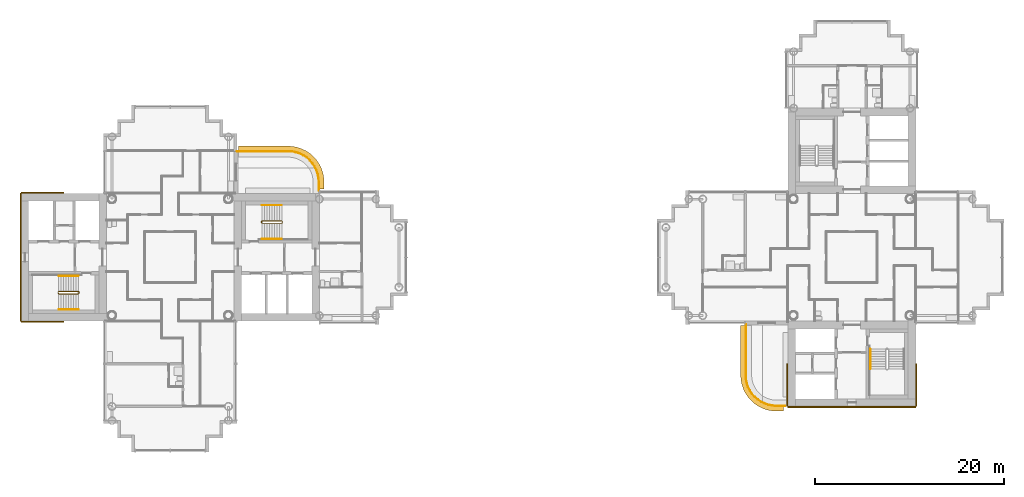
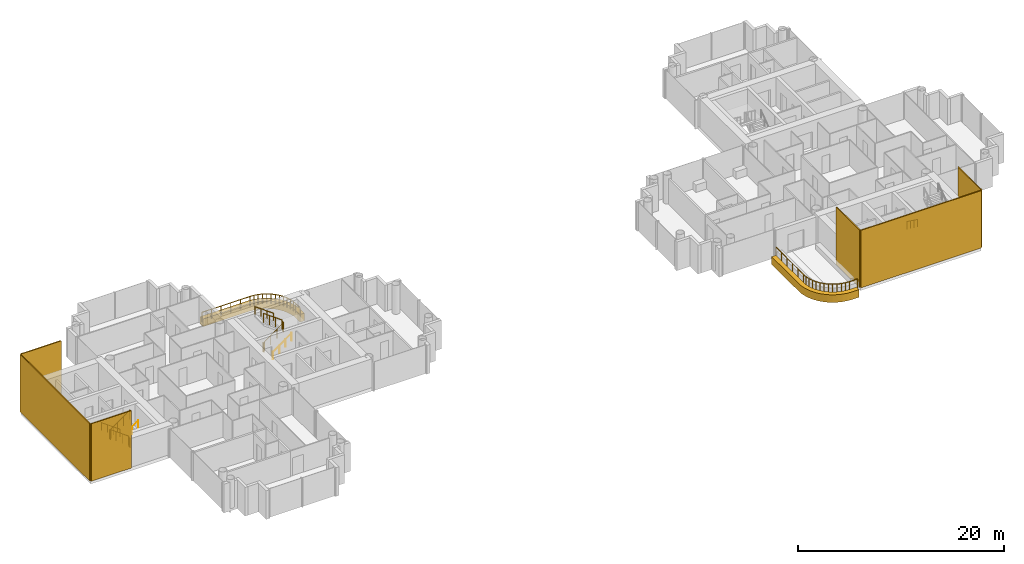
# One storey, part 17 of 19: 9 railings, 8 coverings.
"""IFC4 building model written with IfcOpenShell, lengths in metres."""

from ifc_helpers import new_model, si_unit, direction, frame, origin, origin_2d, place, context, subcontext, project, spatial, polyline, rectangle, circle, outline, extrude, material, layer, layer_set, type_object, element, save


model = new_model("IFC4")

# Units and contexts
model_context = context("Model", 3, precision=1e-05, world=origin(), true_north=direction((0.0, 1.0)))
body_context = subcontext(model_context, "Body", "Model", "MODEL_VIEW")
ifc_project = project(units=[si_unit("LENGTHUNIT", "METRE"), si_unit("AREAUNIT", "SQUARE_METRE"), si_unit("VOLUMEUNIT", "CUBIC_METRE"), si_unit("PLANEANGLEUNIT", "RADIAN"), si_unit("MASSUNIT", "GRAM", prefix="KILO")], contexts=[model_context])

# Site, building, storey
site_placement = place(None, origin())
site = spatial("IfcSite", under=ifc_project, at=site_placement, CompositionType="ELEMENT")
building_placement = place(site_placement, origin())
building = spatial("IfcBuilding", under=site, at=building_placement, Name="Ipe Terrace Towers", CompositionType="ELEMENT")
storey_placement = place(building_placement, frame((0.0, 0.0, 174.5)))
storey = spatial("IfcBuildingStorey", under=building, at=storey_placement, Name="L48", CompositionType="ELEMENT", Elevation=174.5)

# Railings
ifc_material_1 = material(Name="Stainless steel S316", Category="steel")
railing_type_1 = type_object("IfcRailingType", Name="GUARD 1100", PredefinedType="BALUSTRADE", material=ifc_material_1)
railing_1_placement = place(storey_placement, frame((-20.300048828125, 7.070068359375, -0.02001953125)))
element("IfcRailing", 1, at=railing_1_placement, inside=storey, type_object=railing_type_1, Name="guard", PredefinedType="BALUSTRADE", context=body_context, shape_type="SweptSolid", body=[
    extrude(circle(Radius=0.02392578125, at=origin_2d()), frame((0.0, 0.0, 1.076171875), z_axis=(0.0, 1.0, 0.0), x_axis=(-1.0, 0.0, 0.0)), (0.0, 0.0, 1.0), 0.8779296875),
    extrude(circle(Radius=0.02392578125, at=origin_2d()), frame((0.0, 0.8779296875, 1.076171875), z_axis=(-0.065190546171, 0.997872833927, 0.0), x_axis=(-0.997872833927, -0.065190546171, 0.0)), (0.0, 0.0, 1.0), 0.427001953125),
    extrude(circle(Radius=0.02392578125, at=origin_2d()), frame((-0.02783203125, 1.303955078125, 1.076171875), z_axis=(-0.195232649896, 0.980756958892, 0.0), x_axis=(-0.980756958892, -0.195232649896, 0.0)), (0.0, 0.0, 1.0), 0.42529296875),
    extrude(circle(Radius=0.02392578125, at=origin_2d()), frame((-0.11083984375, 1.720947265625, 1.076171875), z_axis=(-0.320184280026, 0.947355280148, 0.0), x_axis=(-0.947355280148, -0.320184280026, 0.0)), (0.0, 0.0, 1.0), 0.425537109375),
    extrude(circle(Radius=0.02392578125, at=origin_2d()), frame((-0.2470703125, 2.1240234375, 1.076171875), z_axis=(-0.444455160923, 0.895801099535, 0.0), x_axis=(-0.895801099535, -0.444455160923, 0.0)), (0.0, 0.0, 1.0), 0.425048828125),
    extrude(circle(Radius=0.02392578125, at=origin_2d()), frame((-0.43603515625, 2.5048828125, 1.076171875), z_axis=(-0.55549616226, 0.83151910003, 0.0), x_axis=(-0.83151910003, -0.55549616226, 0.0)), (0.0, 0.0, 1.0), 0.424560546875),
    extrude(circle(Radius=0.02392578125, at=origin_2d()), frame((-0.671875, 2.85791015625, 1.076171875), z_axis=(-0.658463964434, 0.752612255774, 0.0), x_axis=(-0.752612255774, -0.658463964434, 0.0)), (0.0, 0.0, 1.0), 0.42529296875),
    extrude(circle(Radius=0.02392578125, at=origin_2d()), frame((-0.951904296875, 3.177978515625, 1.076171875), z_axis=(-0.752612255774, 0.658463964434, 0.0), x_axis=(-0.658463964434, -0.752612255774, 0.0)), (0.0, 0.0, 1.0), 0.42529296875),
    extrude(circle(Radius=0.02392578125, at=origin_2d()), frame((-1.27197265625, 3.4580078125, 1.076171875), z_axis=(-0.83151910003, 0.55549616226, 0.0), x_axis=(-0.55549616226, -0.83151910003, 0.0)), (0.0, 0.0, 1.0), 0.424560546875),
    extrude(circle(Radius=0.02392578125, at=origin_2d()), frame((-1.625, 3.69384765625, 1.076171875), z_axis=(-0.895801099535, 0.444455160923, 0.0), x_axis=(-0.444455160923, -0.895801099535, 0.0)), (0.0, 0.0, 1.0), 0.425048828125),
    extrude(circle(Radius=0.02392578125, at=origin_2d()), frame((-2.005859375, 3.8828125, 1.076171875), z_axis=(-0.947355280148, 0.320184280026, 0.0), x_axis=(-0.320184280026, -0.947355280148, 0.0)), (0.0, 0.0, 1.0), 0.425537109375),
    extrude(circle(Radius=0.02392578125, at=origin_2d()), frame((-2.408935546875, 4.01904296875, 1.076171875), z_axis=(-0.980756958892, 0.195232649896, 0.0), x_axis=(-0.195232649896, -0.980756958892, 0.0)), (0.0, 0.0, 1.0), 0.42529296875),
    extrude(circle(Radius=0.02392578125, at=origin_2d()), frame((-2.825927734375, 4.10205078125, 1.076171875), z_axis=(-0.997872833927, 0.065190546171, 0.0), x_axis=(-0.065190546171, -0.997872833927, 0.0)), (0.0, 0.0, 1.0), 0.427001953125),
    extrude(circle(Radius=0.02392578125, at=origin_2d()), frame((-3.251953125, 4.1298828125, 1.076171875), z_axis=(-1.0, 0.0, 0.0), x_axis=(0.0, -1.0, 0.0)), (0.0, 0.0, 1.0), 5.3779296875),
    extrude(circle(Radius=0.02099609375, at=origin_2d()), origin(), (0.0, 0.0, 1.0), 1.052001953125),
    extrude(circle(Radius=0.02099609375, at=origin_2d()), frame((0.0, 0.8779296875, 0.0)), (0.0, 0.0, 1.0), 1.052001953125),
    extrude(circle(Radius=0.02099609375, at=origin_2d()), frame((-0.02783203125, 1.303955078125, 0.0)), (0.0, 0.0, 1.0), 1.052001953125),
    extrude(circle(Radius=0.02099609375, at=origin_2d()), frame((-0.11083984375, 1.720947265625, 0.0)), (0.0, 0.0, 1.0), 1.052001953125),
    extrude(circle(Radius=0.02099609375, at=origin_2d()), frame((-0.2470703125, 2.1240234375, 0.0)), (0.0, 0.0, 1.0), 1.052001953125),
    extrude(circle(Radius=0.02099609375, at=origin_2d()), frame((-0.43603515625, 2.5048828125, 0.0)), (0.0, 0.0, 1.0), 1.052001953125),
    extrude(circle(Radius=0.02099609375, at=origin_2d()), frame((-0.671875, 2.85791015625, 0.0)), (0.0, 0.0, 1.0), 1.052001953125),
    extrude(circle(Radius=0.02099609375, at=origin_2d()), frame((-0.951904296875, 3.177978515625, 0.0)), (0.0, 0.0, 1.0), 1.052001953125),
    extrude(circle(Radius=0.02099609375, at=origin_2d()), frame((-1.27197265625, 3.4580078125, 0.0)), (0.0, 0.0, 1.0), 1.052001953125),
    extrude(circle(Radius=0.02099609375, at=origin_2d()), frame((-1.625, 3.69384765625, 0.0)), (0.0, 0.0, 1.0), 1.052001953125),
    extrude(circle(Radius=0.02099609375, at=origin_2d()), frame((-2.005859375, 3.8828125, 0.0)), (0.0, 0.0, 1.0), 1.052001953125),
    extrude(circle(Radius=0.02099609375, at=origin_2d()), frame((-2.408935546875, 4.01904296875, 0.0)), (0.0, 0.0, 1.0), 1.052001953125),
    extrude(circle(Radius=0.02099609375, at=origin_2d()), frame((-2.825927734375, 4.10205078125, 0.0)), (0.0, 0.0, 1.0), 1.052001953125),
    extrude(circle(Radius=0.02099609375, at=origin_2d()), frame((-3.251953125, 4.1298828125, 0.0)), (0.0, 0.0, 1.0), 1.052001953125),
    extrude(circle(Radius=0.02099609375, at=origin_2d()), frame((-4.32763671875, 4.1298828125, 0.0)), (0.0, 0.0, 1.0), 1.052001953125),
    extrude(circle(Radius=0.02099609375, at=origin_2d()), frame((-5.403076171875, 4.1298828125, 0.0)), (0.0, 0.0, 1.0), 1.052001953125),
    extrude(circle(Radius=0.02099609375, at=origin_2d()), frame((-6.478759765625, 4.1298828125, 0.0)), (0.0, 0.0, 1.0), 1.052001953125),
    extrude(circle(Radius=0.02099609375, at=origin_2d()), frame((-7.55419921875, 4.1298828125, 0.0)), (0.0, 0.0, 1.0), 1.052001953125),
    extrude(circle(Radius=0.02099609375, at=origin_2d()), frame((-8.6298828125, 4.1298828125, 0.0)), (0.0, 0.0, 1.0), 1.052001953125),
])
railing_2_placement = place(storey_placement, frame((24.800048828125, -7.070068359375, -0.02001953125)))
element("IfcRailing", 2, at=railing_2_placement, inside=storey, type_object=railing_type_1, Name="guard", PredefinedType="BALUSTRADE", context=body_context, shape_type="SweptSolid", body=[
    extrude(circle(Radius=0.02392578125, at=origin_2d()), frame((0.0, 0.0, 1.076171875), z_axis=(0.0, -1.0, 0.0), x_axis=(1.0, 0.0, 0.0)), (0.0, 0.0, 1.0), 5.3779296875),
    extrude(circle(Radius=0.02392578125, at=origin_2d()), frame((0.0, -5.3779296875, 1.076171875), z_axis=(0.065190546171, -0.997872833927, 0.0), x_axis=(0.997872833927, 0.065190546171, 0.0)), (0.0, 0.0, 1.0), 0.427001953125),
    extrude(circle(Radius=0.02392578125, at=origin_2d()), frame((0.02783203125, -5.803955078125, 1.076171875), z_axis=(0.195232649896, -0.980756958892, 0.0), x_axis=(0.980756958892, 0.195232649896, 0.0)), (0.0, 0.0, 1.0), 0.42529296875),
    extrude(circle(Radius=0.02392578125, at=origin_2d()), frame((0.11083984375, -6.220947265625, 1.076171875), z_axis=(0.320184280026, -0.947355280148, 0.0), x_axis=(0.947355280148, 0.320184280026, 0.0)), (0.0, 0.0, 1.0), 0.425537109375),
    extrude(circle(Radius=0.02392578125, at=origin_2d()), frame((0.2470703125, -6.6240234375, 1.076171875), z_axis=(0.444455160923, -0.895801099535, 0.0), x_axis=(0.895801099535, 0.444455160923, 0.0)), (0.0, 0.0, 1.0), 0.425048828125),
    extrude(circle(Radius=0.02392578125, at=origin_2d()), frame((0.43603515625, -7.0048828125, 1.076171875), z_axis=(0.55549616226, -0.83151910003, 0.0), x_axis=(0.83151910003, 0.55549616226, 0.0)), (0.0, 0.0, 1.0), 0.424560546875),
    extrude(circle(Radius=0.02392578125, at=origin_2d()), frame((0.671875, -7.35791015625, 1.076171875), z_axis=(0.658463964434, -0.752612255774, 0.0), x_axis=(0.752612255774, 0.658463964434, 0.0)), (0.0, 0.0, 1.0), 0.42529296875),
    extrude(circle(Radius=0.02392578125, at=origin_2d()), frame((0.951904296875, -7.677978515625, 1.076171875), z_axis=(0.752612255774, -0.658463964434, 0.0), x_axis=(0.658463964434, 0.752612255774, 0.0)), (0.0, 0.0, 1.0), 0.42529296875),
    extrude(circle(Radius=0.02392578125, at=origin_2d()), frame((1.27197265625, -7.9580078125, 1.076171875), z_axis=(0.83151910003, -0.55549616226, 0.0), x_axis=(0.55549616226, 0.83151910003, 0.0)), (0.0, 0.0, 1.0), 0.424560546875),
    extrude(circle(Radius=0.02392578125, at=origin_2d()), frame((1.625, -8.19384765625, 1.076171875), z_axis=(0.895801099535, -0.444455160923, 0.0), x_axis=(0.444455160923, 0.895801099535, 0.0)), (0.0, 0.0, 1.0), 0.425048828125),
    extrude(circle(Radius=0.02392578125, at=origin_2d()), frame((2.005859375, -8.3828125, 1.076171875), z_axis=(0.947355280148, -0.320184280026, 0.0), x_axis=(0.320184280026, 0.947355280148, 0.0)), (0.0, 0.0, 1.0), 0.425537109375),
    extrude(circle(Radius=0.02392578125, at=origin_2d()), frame((2.408935546875, -8.51904296875, 1.076171875), z_axis=(0.980756958892, -0.195232649896, 0.0), x_axis=(0.195232649896, 0.980756958892, 0.0)), (0.0, 0.0, 1.0), 0.42529296875),
    extrude(circle(Radius=0.02392578125, at=origin_2d()), frame((2.825927734375, -8.60205078125, 1.076171875), z_axis=(0.997872833927, -0.065190546171, 0.0), x_axis=(0.065190546171, 0.997872833927, 0.0)), (0.0, 0.0, 1.0), 0.427001953125),
    extrude(circle(Radius=0.02392578125, at=origin_2d()), frame((3.251953125, -8.6298828125, 1.076171875), z_axis=(1.0, 0.0, 0.0), x_axis=(0.0, 1.0, 0.0)), (0.0, 0.0, 1.0), 0.8779296875),
    extrude(circle(Radius=0.02099609375, at=origin_2d()), origin(), (0.0, 0.0, 1.0), 1.052001953125),
    extrude(circle(Radius=0.02099609375, at=origin_2d()), frame((0.0, -1.07568359375, 0.0)), (0.0, 0.0, 1.0), 1.052001953125),
    extrude(circle(Radius=0.02099609375, at=origin_2d()), frame((0.0, -2.151123046875, 0.0)), (0.0, 0.0, 1.0), 1.052001953125),
    extrude(circle(Radius=0.02099609375, at=origin_2d()), frame((0.0, -3.226806640625, 0.0)), (0.0, 0.0, 1.0), 1.052001953125),
    extrude(circle(Radius=0.02099609375, at=origin_2d()), frame((0.0, -4.30224609375, 0.0)), (0.0, 0.0, 1.0), 1.052001953125),
    extrude(circle(Radius=0.02099609375, at=origin_2d()), frame((0.0, -5.3779296875, 0.0)), (0.0, 0.0, 1.0), 1.052001953125),
    extrude(circle(Radius=0.02099609375, at=origin_2d()), frame((0.02783203125, -5.803955078125, 0.0)), (0.0, 0.0, 1.0), 1.052001953125),
    extrude(circle(Radius=0.02099609375, at=origin_2d()), frame((0.11083984375, -6.220947265625, 0.0)), (0.0, 0.0, 1.0), 1.052001953125),
    extrude(circle(Radius=0.02099609375, at=origin_2d()), frame((0.2470703125, -6.6240234375, 0.0)), (0.0, 0.0, 1.0), 1.052001953125),
    extrude(circle(Radius=0.02099609375, at=origin_2d()), frame((0.43603515625, -7.0048828125, 0.0)), (0.0, 0.0, 1.0), 1.052001953125),
    extrude(circle(Radius=0.02099609375, at=origin_2d()), frame((0.671875, -7.35791015625, 0.0)), (0.0, 0.0, 1.0), 1.052001953125),
    extrude(circle(Radius=0.02099609375, at=origin_2d()), frame((0.951904296875, -7.677978515625, 0.0)), (0.0, 0.0, 1.0), 1.052001953125),
    extrude(circle(Radius=0.02099609375, at=origin_2d()), frame((1.27197265625, -7.9580078125, 0.0)), (0.0, 0.0, 1.0), 1.052001953125),
    extrude(circle(Radius=0.02099609375, at=origin_2d()), frame((1.625, -8.19384765625, 0.0)), (0.0, 0.0, 1.0), 1.052001953125),
    extrude(circle(Radius=0.02099609375, at=origin_2d()), frame((2.005859375, -8.3828125, 0.0)), (0.0, 0.0, 1.0), 1.052001953125),
    extrude(circle(Radius=0.02099609375, at=origin_2d()), frame((2.408935546875, -8.51904296875, 0.0)), (0.0, 0.0, 1.0), 1.052001953125),
    extrude(circle(Radius=0.02099609375, at=origin_2d()), frame((2.825927734375, -8.60205078125, 0.0)), (0.0, 0.0, 1.0), 1.052001953125),
    extrude(circle(Radius=0.02099609375, at=origin_2d()), frame((3.251953125, -8.6298828125, 0.0)), (0.0, 0.0, 1.0), 1.052001953125),
    extrude(circle(Radius=0.02099609375, at=origin_2d()), frame((4.1298828125, -8.6298828125, 0.0)), (0.0, 0.0, 1.0), 1.052001953125),
])

# Coverings
ifc_material_2 = material(Name="Concrete C50/60 precast, buff finish", Category="concrete")
ifc_layer_1 = layer(ifc_material_2, 0.1201171875)
ifc_layer_set_1 = layer_set([ifc_layer_1], Name="STONE CORE CLADDING 120")
covering_type_1 = type_object("IfcCoveringType", Name="STONE CORE CLADDING 120", PredefinedType="CLADDING", material=ifc_layer_set_1)
covering_1_placement = place(storey_placement, frame((-49.5, -6.81005859375, 0.0), z_axis=(0.0, 0.0, 1.0), x_axis=(1.0, 0.0, 0.0)))
element("IfcCovering", 3, at=covering_1_placement, inside=storey, type_object=covering_type_1, Name="stone core cladding", PredefinedType="CLADDING", context=body_context, shape_type="SweptSolid", body=[
    extrude(rectangle(XDim=4.5, YDim=0.1201171875, at=origin_2d()), origin(), (0.0, 0.0, 1.0), 6.800048828125),
])
covering_2_placement = place(storey_placement, frame((-51.81005859375, 0.0, 0.0), z_axis=(0.0, 0.0, 1.0), x_axis=(0.0, -1.0, 0.0)))
element("IfcCovering", 4, at=covering_2_placement, inside=storey, type_object=covering_type_1, Name="stone core cladding", PredefinedType="CLADDING", context=body_context, shape_type="SweptSolid", body=[
    extrude(rectangle(XDim=13.5, YDim=0.1201171875, at=origin_2d()), origin(), (0.0, 0.0, 1.0), 6.800048828125),
])
covering_3_placement = place(storey_placement, frame((-49.5, 6.81005859375, 0.0), z_axis=(0.0, 0.0, 1.0), x_axis=(-1.0, 0.0, 0.0)))
element("IfcCovering", 5, at=covering_3_placement, inside=storey, type_object=covering_type_1, Name="stone core cladding", PredefinedType="CLADDING", context=body_context, shape_type="SweptSolid", body=[
    extrude(rectangle(XDim=4.5, YDim=0.1201171875, at=origin_2d()), origin(), (0.0, 0.0, 1.0), 6.800048828125),
])
covering_4_placement = place(storey_placement, frame((36.0, -15.81005859375, 0.0), z_axis=(0.0, 0.0, 1.0), x_axis=(1.0, 0.0, 0.0)))
element("IfcCovering", 6, at=covering_4_placement, inside=storey, type_object=covering_type_1, Name="stone core cladding", PredefinedType="CLADDING", context=body_context, shape_type="SweptSolid", body=[
    extrude(rectangle(XDim=13.5, YDim=0.1201171875, at=origin_2d()), origin(), (0.0, 0.0, 1.0), 6.800048828125),
])
for number, where, z_axis, x_axis, name in (
    (7, (29.18994140625, -13.5, 0.0), (0.0, 0.0, 1.0), (0.0, -1.0, 0.0), "stone core cladding"),
    (8, (42.81005859375, -13.5, 0.0), (0.0, 0.0, 1.0), (0.0, 1.0, 0.0), "stone core cladding"),
):
    element("IfcCovering", number, at=place(storey_placement, frame(where, z_axis=z_axis, x_axis=x_axis)), inside=storey, type_object=covering_type_1, Name=name, PredefinedType="CLADDING", context=body_context, shape_type="SweptSolid", body=[
        extrude(rectangle(XDim=4.5, YDim=0.1201171875, at=origin_2d()), origin(), (0.0, 0.0, 1.0), 6.800048828125),
    ])
ifc_material_3 = material(Name="Concrete C50/60 precast, buff finish", Category="concrete")
ifc_layer_2 = layer(ifc_material_3, 0.5)
ifc_layer_set_2 = layer_set([ifc_layer_2], Name="STONE EDGE BAND 500 x 900")
covering_type_2 = type_object("IfcCoveringType", Name="STONE EDGE BAND 500 x 900", PredefinedType="CLADDING", material=ifc_layer_set_2)
covering_5_placement = place(storey_placement, frame((0.0, 0.0, -0.719970703125)))
element("IfcCovering", 9, at=covering_5_placement, inside=storey, type_object=covering_type_2, Name="stone edge band", PredefinedType="CLADDING", context=body_context, shape_type="SweptSolid", body=[
    extrude(outline(polyline([(-23.550048828125, 11.75), (-28.800048828125, 11.75), (-28.800048828125, 11.25), (-23.550048828125, 11.25), (-23.118896484375, 11.221923828125), (-22.696044921875, 11.137939453125), (-22.287109375, 10.9990234375), (-21.89990234375, 10.80810546875), (-21.541015625, 10.568115234375), (-21.217041015625, 10.282958984375), (-20.931884765625, 9.958984375), (-20.69189453125, 9.60009765625), (-20.5009765625, 9.212890625), (-20.362060546875, 8.803955078125), (-20.278076171875, 8.381103515625), (-20.25, 7.949951171875), (-20.25, 7.199951171875), (-19.75, 7.199951171875), (-19.75, 7.949951171875), (-19.7509765625, 7.98291015625), (-19.779052734375, 8.4130859375), (-19.7880859375, 8.47802734375), (-19.8720703125, 8.902099609375), (-19.888916015625, 8.965087890625), (-20.028076171875, 9.3740234375), (-20.052978515625, 9.43408203125), (-20.243896484375, 9.821044921875), (-20.27587890625, 9.8779296875), (-20.51611328125, 10.237060546875), (-20.555908203125, 10.2890625), (-20.841064453125, 10.613037109375), (-20.886962890625, 10.658935546875), (-21.2109375, 10.944091796875), (-21.262939453125, 10.98388671875), (-21.6220703125, 11.22412109375), (-21.678955078125, 11.256103515625), (-22.06591796875, 11.447021484375), (-22.1259765625, 11.471923828125), (-22.534912109375, 11.611083984375), (-22.597900390625, 11.6279296875), (-23.02197265625, 11.7119140625), (-23.0869140625, 11.720947265625), (-23.51708984375, 11.7490234375), (-23.550048828125, 11.75)])), origin(), (0.0, 0.0, 1.0), 0.89990234375),
])
covering_6_placement = place(storey_placement, frame((0.0, 0.0, -0.719970703125)))
element("IfcCovering", 10, at=covering_6_placement, inside=storey, type_object=covering_type_2, Name="stone edge band", PredefinedType="CLADDING", context=body_context, shape_type="SweptSolid", body=[
    extrude(outline(polyline([(24.25, -12.449951171875), (24.2509765625, -12.48291015625), (24.279052734375, -12.9130859375), (24.2880859375, -12.97802734375), (24.3720703125, -13.402099609375), (24.388916015625, -13.465087890625), (24.528076171875, -13.8740234375), (24.552978515625, -13.93408203125), (24.743896484375, -14.321044921875), (24.77587890625, -14.3779296875), (25.01611328125, -14.737060546875), (25.055908203125, -14.7890625), (25.341064453125, -15.113037109375), (25.386962890625, -15.158935546875), (25.7109375, -15.444091796875), (25.762939453125, -15.48388671875), (26.1220703125, -15.72412109375), (26.178955078125, -15.756103515625), (26.56591796875, -15.947021484375), (26.6259765625, -15.971923828125), (27.034912109375, -16.111083984375), (27.097900390625, -16.1279296875), (27.52197265625, -16.2119140625), (27.5869140625, -16.220947265625), (28.01708984375, -16.2490234375), (28.050048828125, -16.25), (28.800048828125, -16.25), (28.800048828125, -15.75), (28.050048828125, -15.75), (27.618896484375, -15.721923828125), (27.196044921875, -15.637939453125), (26.787109375, -15.4990234375), (26.39990234375, -15.30810546875), (26.041015625, -15.068115234375), (25.717041015625, -14.782958984375), (25.431884765625, -14.458984375), (25.19189453125, -14.10009765625), (25.0009765625, -13.712890625), (24.862060546875, -13.303955078125), (24.778076171875, -12.881103515625), (24.75, -12.449951171875), (24.75, -7.199951171875), (24.25, -7.199951171875), (24.25, -12.449951171875)])), origin(), (0.0, 0.0, 1.0), 0.89990234375),
])

# Railings
ifc_material_4 = material(Name="Steel S355", Category="steel")
railing_type_2 = type_object("IfcRailingType", Name="Stair guard 1100", PredefinedType="GUARDRAIL", material=ifc_material_4)
railing_3_placement = place(storey_placement, frame((-26.35009765625, 3.800048828125, 0.0)))
element("IfcRailing", 11, at=railing_3_placement, inside=storey, type_object=railing_type_2, Name="L48 T1-ST1 stair guard 1", PredefinedType="GUARDRAIL", context=body_context, shape_type="SweptSolid", body=[
    extrude(circle(Radius=0.02392578125, at=origin_2d()), frame((0.0, 0.0, 1.076171875), z_axis=(0.0, -1.0, 0.0), x_axis=(1.0, 0.0, 0.0)), (0.0, 0.0, 1.0), 0.150146484375),
    extrude(circle(Radius=0.02392578125, at=origin_2d()), frame((0.0, -0.150146484375, 1.076171875), z_axis=(0.248103849378, -0.246893586699, 0.936743314239), x_axis=(0.705375805398, 0.708833529934, 0.0)), (0.0, 0.0, 1.0), 0.20166015625),
    extrude(circle(Radius=0.02392578125, at=origin_2d()), frame((0.050048828125, -0.199951171875, 1.26513671875), z_axis=(0.809068575486, 0.0, 0.587714250432), x_axis=(0.0, 1.0, 0.0)), (0.0, 0.0, 1.0), 2.571044921875),
    extrude(circle(Radius=0.02392578125, at=origin_2d()), frame((2.130126953125, -0.199951171875, 2.77587890625), z_axis=(0.708833529934, 0.705375805398, 0.0), x_axis=(-0.705375805398, 0.708833529934, 0.0)), (0.0, 0.0, 1.0), 0.070556640625),
    extrude(circle(Radius=0.02392578125, at=origin_2d()), frame((2.18017578125, -0.150146484375, 2.77587890625), z_axis=(0.0, 1.0, 0.0), x_axis=(-1.0, 0.0, 0.0)), (0.0, 0.0, 1.0), 0.150146484375),
    extrude(circle(Radius=0.02392578125, at=origin_2d()), frame((2.18017578125, 0.0, 2.77587890625), z_axis=(-0.248029566107, 0.248029566107, 0.936462849596), x_axis=(-0.707106781187, -0.707106781187, 0.0)), (0.0, 0.0, 1.0), 0.201904296875),
    extrude(circle(Radius=0.02392578125, at=origin_2d()), frame((2.130126953125, 0.050048828125, 2.96484375), z_axis=(-0.809068575486, 0.0, 0.587714250432), x_axis=(0.0, -1.0, 0.0)), (0.0, 0.0, 1.0), 2.571044921875),
    extrude(circle(Radius=0.02099609375, at=origin_2d()), origin(), (0.0, 0.0, 1.0), 1.052001953125),
    extrude(circle(Radius=0.02099609375, at=origin_2d()), frame((0.0, -0.150146484375, 0.0)), (0.0, 0.0, 1.0), 1.052001953125),
    extrude(circle(Radius=0.02099609375, at=origin_2d()), frame((0.050048828125, -0.199951171875, 0.18896484375)), (0.0, 0.0, 1.0), 1.052001953125),
    extrude(circle(Radius=0.02099609375, at=origin_2d()), frame((0.743408203125, -0.199951171875, 0.692626953125)), (0.0, 0.0, 1.0), 1.052001953125),
    extrude(circle(Radius=0.02099609375, at=origin_2d()), frame((1.436767578125, -0.199951171875, 1.1962890625)), (0.0, 0.0, 1.0), 1.052001953125),
    extrude(circle(Radius=0.02099609375, at=origin_2d()), frame((2.130126953125, -0.199951171875, 1.699951171875)), (0.0, 0.0, 1.0), 1.052001953125),
    extrude(circle(Radius=0.02099609375, at=origin_2d()), frame((2.18017578125, -0.150146484375, 1.699951171875)), (0.0, 0.0, 1.0), 1.052001953125),
    extrude(circle(Radius=0.02099609375, at=origin_2d()), frame((2.18017578125, 0.0, 1.699951171875)), (0.0, 0.0, 1.0), 1.052001953125),
    extrude(circle(Radius=0.02099609375, at=origin_2d()), frame((2.130126953125, 0.050048828125, 1.888916015625)), (0.0, 0.0, 1.0), 1.052001953125),
    extrude(circle(Radius=0.02099609375, at=origin_2d()), frame((1.436767578125, 0.050048828125, 2.392578125)), (0.0, 0.0, 1.0), 1.052001953125),
    extrude(circle(Radius=0.02099609375, at=origin_2d()), frame((0.743408203125, 0.050048828125, 2.896240234375)), (0.0, 0.0, 1.0), 1.052001953125),
    extrude(circle(Radius=0.02099609375, at=origin_2d()), frame((0.050048828125, 0.050048828125, 3.39990234375)), (0.0, 0.0, 1.0), 1.052001953125),
])
railing_4_placement = place(storey_placement, frame((-45.64990234375, -3.800048828125, 0.0)))
element("IfcRailing", 12, at=railing_4_placement, inside=storey, type_object=railing_type_2, Name="L48 T1-ST2 stair guard 1", PredefinedType="GUARDRAIL", context=body_context, shape_type="SweptSolid", body=[
    extrude(circle(Radius=0.02392578125, at=origin_2d()), frame((0.0, 0.0, 1.076171875), z_axis=(0.0, 1.0, 0.0), x_axis=(-1.0, 0.0, 0.0)), (0.0, 0.0, 1.0), 0.150146484375),
    extrude(circle(Radius=0.02392578125, at=origin_2d()), frame((0.0, 0.150146484375, 1.076171875), z_axis=(-0.248103849378, 0.246893586699, 0.936743314239), x_axis=(-0.705375805398, -0.708833529934, 0.0)), (0.0, 0.0, 1.0), 0.20166015625),
    extrude(circle(Radius=0.02392578125, at=origin_2d()), frame((-0.050048828125, 0.199951171875, 1.26513671875), z_axis=(-0.809068575486, 0.0, 0.587714250432), x_axis=(0.0, -1.0, 0.0)), (0.0, 0.0, 1.0), 2.571044921875),
    extrude(circle(Radius=0.02392578125, at=origin_2d()), frame((-2.130126953125, 0.199951171875, 2.77587890625), z_axis=(-0.708833529934, -0.705375805398, 0.0), x_axis=(0.705375805398, -0.708833529934, 0.0)), (0.0, 0.0, 1.0), 0.070556640625),
    extrude(circle(Radius=0.02392578125, at=origin_2d()), frame((-2.18017578125, 0.150146484375, 2.77587890625), z_axis=(0.0, -1.0, 0.0), x_axis=(1.0, 0.0, 0.0)), (0.0, 0.0, 1.0), 0.150146484375),
    extrude(circle(Radius=0.02392578125, at=origin_2d()), frame((-2.18017578125, 0.0, 2.77587890625), z_axis=(0.248029566107, -0.248029566107, 0.936462849596), x_axis=(0.707106781187, 0.707106781187, 0.0)), (0.0, 0.0, 1.0), 0.201904296875),
    extrude(circle(Radius=0.02392578125, at=origin_2d()), frame((-2.130126953125, -0.050048828125, 2.96484375), z_axis=(0.809068575486, 0.0, 0.587714250432), x_axis=(0.0, 1.0, 0.0)), (0.0, 0.0, 1.0), 2.571044921875),
    extrude(circle(Radius=0.02099609375, at=origin_2d()), origin(), (0.0, 0.0, 1.0), 1.052001953125),
    extrude(circle(Radius=0.02099609375, at=origin_2d()), frame((0.0, 0.150146484375, 0.0)), (0.0, 0.0, 1.0), 1.052001953125),
    extrude(circle(Radius=0.02099609375, at=origin_2d()), frame((-0.050048828125, 0.199951171875, 0.18896484375)), (0.0, 0.0, 1.0), 1.052001953125),
    extrude(circle(Radius=0.02099609375, at=origin_2d()), frame((-0.743408203125, 0.199951171875, 0.692626953125)), (0.0, 0.0, 1.0), 1.052001953125),
    extrude(circle(Radius=0.02099609375, at=origin_2d()), frame((-1.436767578125, 0.199951171875, 1.1962890625)), (0.0, 0.0, 1.0), 1.052001953125),
    extrude(circle(Radius=0.02099609375, at=origin_2d()), frame((-2.130126953125, 0.199951171875, 1.699951171875)), (0.0, 0.0, 1.0), 1.052001953125),
    extrude(circle(Radius=0.02099609375, at=origin_2d()), frame((-2.18017578125, 0.150146484375, 1.699951171875)), (0.0, 0.0, 1.0), 1.052001953125),
    extrude(circle(Radius=0.02099609375, at=origin_2d()), frame((-2.18017578125, 0.0, 1.699951171875)), (0.0, 0.0, 1.0), 1.052001953125),
    extrude(circle(Radius=0.02099609375, at=origin_2d()), frame((-2.130126953125, -0.050048828125, 1.888916015625)), (0.0, 0.0, 1.0), 1.052001953125),
    extrude(circle(Radius=0.02099609375, at=origin_2d()), frame((-1.436767578125, -0.050048828125, 2.392578125)), (0.0, 0.0, 1.0), 1.052001953125),
    extrude(circle(Radius=0.02099609375, at=origin_2d()), frame((-0.743408203125, -0.050048828125, 2.896240234375)), (0.0, 0.0, 1.0), 1.052001953125),
    extrude(circle(Radius=0.02099609375, at=origin_2d()), frame((-0.050048828125, -0.050048828125, 3.39990234375)), (0.0, 0.0, 1.0), 1.052001953125),
])
ifc_material_5 = material(Name="Stainless steel grade 304", Category="steel")
railing_type_3 = type_object("IfcRailingType", Name="Stair handrail 900", PredefinedType="HANDRAIL", material=ifc_material_5)
railing_5_placement = place(storey_placement, frame((-26.300048828125, 1.949951171875, 0.18896484375)))
element("IfcRailing", 13, at=railing_5_placement, inside=storey, type_object=railing_type_3, Name="L48 T1-ST1 stair handrail 1", PredefinedType="HANDRAIL", context=body_context, shape_type="SweptSolid", body=[
    extrude(circle(Radius=0.02392578125, at=origin_2d()), frame((0.0, 0.0, 0.8759765625), z_axis=(0.809068575486, 0.0, 0.587714250432), x_axis=(0.0, 1.0, 0.0)), (0.0, 0.0, 1.0), 2.571044921875),
    extrude(circle(Radius=0.02099609375, at=origin_2d()), origin(), (0.0, 0.0, 1.0), 0.851806640625),
    extrude(circle(Radius=0.02099609375, at=origin_2d()), frame((0.693359375, 0.0, 0.503662109375)), (0.0, 0.0, 1.0), 0.851806640625),
    extrude(circle(Radius=0.02099609375, at=origin_2d()), frame((1.38671875, 0.0, 1.00732421875)), (0.0, 0.0, 1.0), 0.851806640625),
    extrude(circle(Radius=0.02099609375, at=origin_2d()), frame((2.080078125, 0.0, 1.510986328125)), (0.0, 0.0, 1.0), 0.851806640625),
])
for number, where, name in (
    (14, (-24.219970703125, 5.5, 1.888916015625), "L48 T1-ST1 stair handrail 2"),
    (15, (-45.699951171875, -1.949951171875, 0.18896484375), "L48 T1-ST2 stair handrail 1"),
):
    element("IfcRailing", number, at=place(storey_placement, frame(where)), inside=storey, type_object=railing_type_3, Name=name, PredefinedType="HANDRAIL", context=body_context, shape_type="SweptSolid", body=[
        extrude(circle(Radius=0.02392578125, at=origin_2d()), frame((0.0, 0.0, 0.8759765625), z_axis=(-0.809068575486, 0.0, 0.587714250432), x_axis=(0.0, -1.0, 0.0)), (0.0, 0.0, 1.0), 2.571044921875),
        extrude(circle(Radius=0.02099609375, at=origin_2d()), origin(), (0.0, 0.0, 1.0), 0.851806640625),
        extrude(circle(Radius=0.02099609375, at=origin_2d()), frame((-0.693359375, 0.0, 0.503662109375)), (0.0, 0.0, 1.0), 0.851806640625),
        extrude(circle(Radius=0.02099609375, at=origin_2d()), frame((-1.38671875, 0.0, 1.00732421875)), (0.0, 0.0, 1.0), 0.851806640625),
        extrude(circle(Radius=0.02099609375, at=origin_2d()), frame((-2.080078125, 0.0, 1.510986328125)), (0.0, 0.0, 1.0), 0.851806640625),
    ])
railing_6_placement = place(storey_placement, frame((-47.780029296875, -5.5, 1.888916015625)))
element("IfcRailing", 16, at=railing_6_placement, inside=storey, type_object=railing_type_3, Name="L48 T1-ST2 stair handrail 2", PredefinedType="HANDRAIL", context=body_context, shape_type="SweptSolid", body=[
    extrude(circle(Radius=0.02392578125, at=origin_2d()), frame((0.0, 0.0, 0.8759765625), z_axis=(0.809068575486, 0.0, 0.587714250432), x_axis=(0.0, 1.0, 0.0)), (0.0, 0.0, 1.0), 2.571044921875),
    extrude(circle(Radius=0.02099609375, at=origin_2d()), origin(), (0.0, 0.0, 1.0), 0.851806640625),
    extrude(circle(Radius=0.02099609375, at=origin_2d()), frame((0.693359375, 0.0, 0.503662109375)), (0.0, 0.0, 1.0), 0.851806640625),
    extrude(circle(Radius=0.02099609375, at=origin_2d()), frame((1.38671875, 0.0, 1.00732421875)), (0.0, 0.0, 1.0), 0.851806640625),
    extrude(circle(Radius=0.02099609375, at=origin_2d()), frame((2.080078125, 0.0, 1.510986328125)), (0.0, 0.0, 1.0), 0.851806640625),
])
railing_7_placement = place(storey_placement, frame((37.949951171875, -9.699951171875, 0.18896484375)))
element("IfcRailing", 17, at=railing_7_placement, inside=storey, type_object=railing_type_3, Name="L48 T2-ST2 stair handrail 1", PredefinedType="HANDRAIL", context=body_context, shape_type="SweptSolid", body=[
    extrude(circle(Radius=0.02392578125, at=origin_2d()), frame((0.0, 0.0, 0.8759765625), z_axis=(0.0, -0.809068575486, 0.587714250432), x_axis=(1.0, 0.0, 0.0)), (0.0, 0.0, 1.0), 2.571044921875),
    extrude(circle(Radius=0.02099609375, at=origin_2d()), origin(), (0.0, 0.0, 1.0), 0.851806640625),
    extrude(circle(Radius=0.02099609375, at=origin_2d()), frame((0.0, -0.693359375, 0.503662109375)), (0.0, 0.0, 1.0), 0.851806640625),
    extrude(circle(Radius=0.02099609375, at=origin_2d()), frame((0.0, -1.38671875, 1.00732421875)), (0.0, 0.0, 1.0), 0.851806640625),
    extrude(circle(Radius=0.02099609375, at=origin_2d()), frame((0.0, -2.080078125, 1.510986328125)), (0.0, 0.0, 1.0), 0.851806640625),
])

save(model, "model.ifc")
